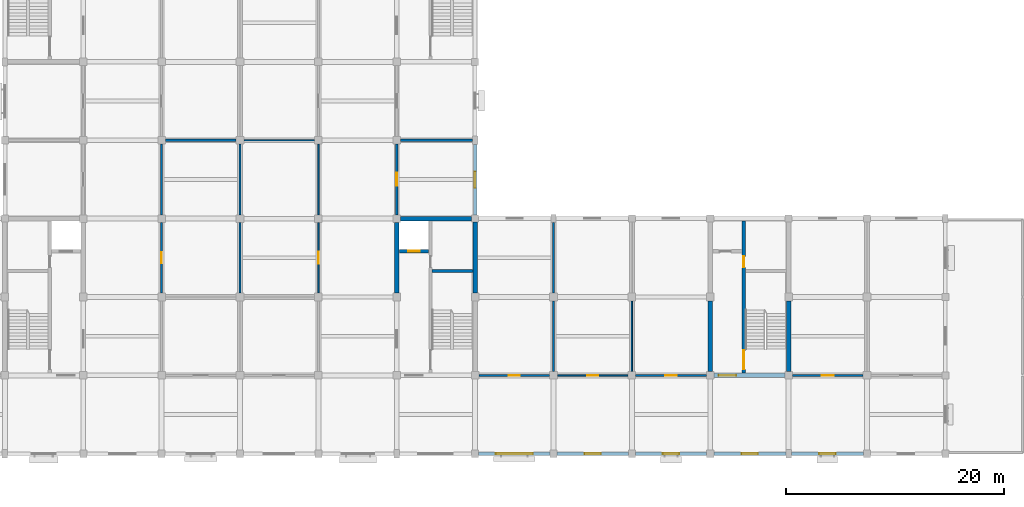
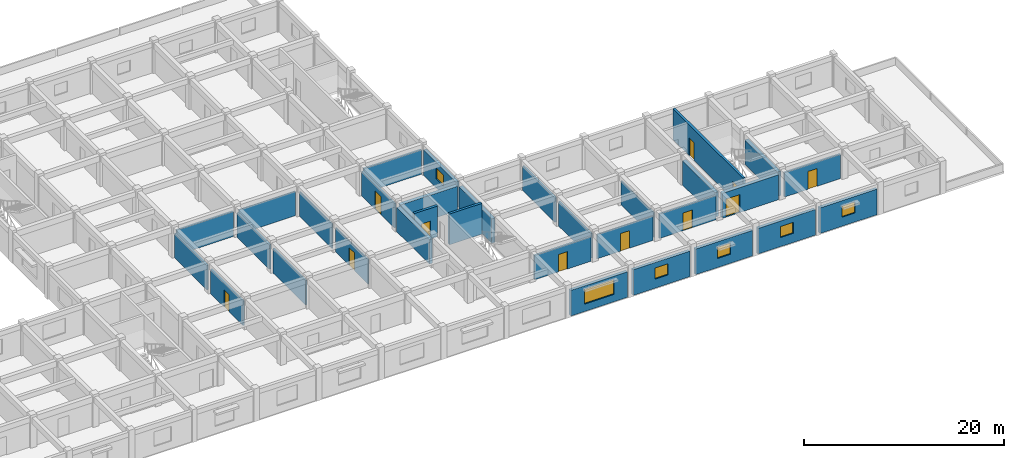
# One storey, part 7 of 16: 32 walls, 11 doors, 6 windows, 17 openings.
"""IFC4 building model written with IfcOpenShell, lengths in metres."""

from ifc_helpers import new_model, si_unit, direction, frame, frame_2d, origin, place, context, subcontext, project, spatial, rectangle, extrude, material, layer, layer_set, type_object, element, fill, save


model = new_model("IFC4")

# Units and contexts
model_context = context("Model", 3, precision=1e-05, world=origin(), true_north=direction((0.0, 1.0)))
body_context = subcontext(model_context, "Body", "Model", "MODEL_VIEW")
ifc_project = project(units=[si_unit("LENGTHUNIT", "METRE"), si_unit("AREAUNIT", "SQUARE_METRE"), si_unit("VOLUMEUNIT", "CUBIC_METRE"), si_unit("PLANEANGLEUNIT", "RADIAN"), si_unit("MASSUNIT", "GRAM", prefix="KILO")], contexts=[model_context])

# Site, building, storey
site_placement = place(None, origin())
site = spatial("IfcSite", under=ifc_project, at=site_placement, CompositionType="ELEMENT")
building_placement = place(site_placement, origin())
building = spatial("IfcBuilding", under=site, at=building_placement, Name="Cendaluz Park School", CompositionType="ELEMENT")
storey_placement = place(building_placement, frame((0.0, 0.0, 22.60009765625)))
storey = spatial("IfcBuildingStorey", under=building, at=storey_placement, Name="L05", CompositionType="ELEMENT", Elevation=22.60009765625)

# Wall, opening, door
ifc_material_1 = material(Name="Gypsum Plasterboard on Cold-Formed Stud", Category="gypsum")
ifc_layer_1 = layer(ifc_material_1, 0.199951171875)
ifc_layer_set_1 = layer_set([ifc_layer_1], Name="Gypsum Plasterboard on Cold-Formed Stud")
wall_type_1 = type_object("IfcWallType", Name="W-AC20", PredefinedType="PARTITIONING", material=ifc_layer_set_1)
wall_1_placement = place(storey_placement, frame((108.35009765625, 14.39990234375, 0.0), z_axis=(0.0, 0.0, 1.0), x_axis=(1.0, 0.0, 0.0)))
wall_1 = element("IfcWall", 1, at=wall_1_placement, inside=storey, type_object=wall_type_1, Name="WL-FF-BQ9", PredefinedType="PARTITIONING", context=body_context, shape_type="SweptSolid", body=[
    extrude(rectangle(XDim=6.5, YDim=0.199951171875, at=frame_2d((3.25, 0.0))), origin(), (0.0, 0.0, 1.0), 2.97998046875),
])
opening_1_placement = place(wall_1_placement, frame((2.739990234375, 0.0, 0.0)))
opening_1 = element("IfcOpeningElement", 2, at=opening_1_placement, cuts=wall_1, Name="Opening DCL-02", PredefinedType="OPENING", context=body_context, shape_type="SweptSolid", body=[
    extrude(rectangle(XDim=1.02001953125, YDim=2.1201171875, at=frame_2d((0.510009765625, 1.06005859375))), frame((0.0, 0.112060546875, 0.0), z_axis=(0.0, -1.0, 0.0), x_axis=(1.0, 0.0, 0.0)), (0.0, 0.0, 1.0), 0.223876953125),
])
ifc_material_2 = material(Name="Solid Core Hardwood", Category="wood")
door_type_1 = type_object("IfcDoorType", Name="DCL-02", OperationType="NOTDEFINED", PredefinedType="DOOR", material=ifc_material_2)
door_1_placement = place(opening_1_placement, origin())
door_1 = element("IfcDoor", 3, at=door_1_placement, inside=storey, type_object=door_type_1, Name="D-L05-032", OperationType="SINGLE_SWING_RIGHT", OverallHeight=2.1201171875, OverallWidth=1.02001953125, PredefinedType="DOOR", context=body_context, shape_type="SweptSolid", body=[
    extrude(rectangle(XDim=1.02001953125, YDim=2.1201171875, at=frame_2d((0.510009765625, 1.06005859375))), frame((0.0, 0.02490234375, 0.0), z_axis=(0.0, -1.0, 0.0), x_axis=(1.0, 0.0, 0.0)), (0.0, 0.0, 1.0), 0.050048828125),
])
fill(opening_1, door_1)

# Walls
wall_2_placement = place(storey_placement, frame((115.199951171875, 14.75, 0.0), z_axis=(0.0, 0.0, 1.0), x_axis=(0.0, 1.0, 0.0)))
element("IfcWall", 4, at=wall_2_placement, inside=storey, type_object=wall_type_1, Name="WL-FF-BR0", PredefinedType="PARTITIONING", context=body_context, shape_type="SweptSolid", body=[
    extrude(rectangle(XDim=6.5, YDim=0.199951171875, at=frame_2d((3.25, 0.0))), origin(), (0.0, 0.0, 1.0), 2.97998046875),
])
wall_3_placement = place(storey_placement, frame((115.199951171875, 21.949951171875, 0.0), z_axis=(0.0, 0.0, 1.0), x_axis=(0.0, 1.0, 0.0)))
element("IfcWall", 5, at=wall_3_placement, inside=storey, type_object=wall_type_1, Name="WL-FF-BR1", PredefinedType="PARTITIONING", context=body_context, shape_type="SweptSolid", body=[
    extrude(rectangle(XDim=6.47509765625, YDim=0.199951171875, at=frame_2d((3.237548828125, 0.0))), origin(), (0.0, 0.0, 1.0), 2.97998046875),
])

# Wall, opening, door
wall_4_placement = place(storey_placement, frame((122.75, 14.39990234375, 0.0), z_axis=(0.0, 0.0, 1.0), x_axis=(1.0, 0.0, 0.0)))
wall_4 = element("IfcWall", 6, at=wall_4_placement, inside=storey, type_object=wall_type_1, Name="WL-FF-BR5", PredefinedType="PARTITIONING", context=body_context, shape_type="SweptSolid", body=[
    extrude(rectangle(XDim=6.5, YDim=0.199951171875, at=frame_2d((3.25, 0.0))), origin(), (0.0, 0.0, 1.0), 2.97998046875),
])
opening_2_placement = place(wall_4_placement, frame((2.719970703125, 0.0, 0.0)))
opening_2 = element("IfcOpeningElement", 7, at=opening_2_placement, cuts=wall_4, Name="Opening DCL-04", PredefinedType="OPENING", context=body_context, shape_type="SweptSolid", body=[
    extrude(rectangle(XDim=1.06005859375, YDim=2.159912109375, at=frame_2d((0.530029296875, 1.080078125))), frame((0.0, 0.112060546875, 0.0), z_axis=(0.0, -1.0, 0.0), x_axis=(1.0, 0.0, 0.0)), (0.0, 0.0, 1.0), 0.223876953125),
])
door_type_2 = type_object("IfcDoorType", Name="DCL-04", OperationType="NOTDEFINED", PredefinedType="DOOR", material=ifc_material_2)
door_2_placement = place(opening_2_placement, origin())
door_2 = element("IfcDoor", 8, at=door_2_placement, inside=storey, type_object=door_type_2, Name="D-L05-034", OperationType="SINGLE_SWING_RIGHT", OverallHeight=2.159912109375, OverallWidth=1.06005859375, PredefinedType="DOOR", context=body_context, shape_type="SweptSolid", body=[
    extrude(rectangle(XDim=1.06005859375, YDim=2.159912109375, at=frame_2d((0.530029296875, 1.080078125))), frame((0.0, 0.02490234375, 0.0), z_axis=(0.0, -1.0, 0.0), x_axis=(1.0, 0.0, 0.0)), (0.0, 0.0, 1.0), 0.050048828125),
])
fill(opening_2, door_2)

wall_5_placement = place(storey_placement, frame((137.14990234375, 14.39990234375, 0.0), z_axis=(0.0, 0.0, 1.0), x_axis=(1.0, 0.0, 0.0)))
wall_5 = element("IfcWall", 9, at=wall_5_placement, inside=storey, type_object=wall_type_1, Name="WL-FF-BR6", PredefinedType="PARTITIONING", context=body_context, shape_type="SweptSolid", body=[
    extrude(rectangle(XDim=6.5, YDim=0.199951171875, at=frame_2d((3.25, 0.0))), origin(), (0.0, 0.0, 1.0), 2.97998046875),
])
opening_3_placement = place(wall_5_placement, frame((2.7099609375, 0.0, 0.0)))
opening_3 = element("IfcOpeningElement", 10, at=opening_3_placement, cuts=wall_5, Name="Opening DCL-05", PredefinedType="OPENING", context=body_context, shape_type="SweptSolid", body=[
    extrude(rectangle(XDim=1.080078125, YDim=2.179931640625, at=frame_2d((0.5400390625, 1.08984375))), frame((0.0, 0.112060546875, 0.0), z_axis=(0.0, -1.0, 0.0), x_axis=(1.0, 0.0, 0.0)), (0.0, 0.0, 1.0), 0.223876953125),
])
door_type_3 = type_object("IfcDoorType", Name="DCL-05", OperationType="NOTDEFINED", PredefinedType="DOOR", material=ifc_material_2)
door_3_placement = place(opening_3_placement, origin())
door_3 = element("IfcDoor", 11, at=door_3_placement, inside=storey, type_object=door_type_3, Name="D-L05-035", OperationType="SINGLE_SWING_LEFT", OverallHeight=2.179931640625, OverallWidth=1.080078125, PredefinedType="DOOR", context=body_context, shape_type="SweptSolid", body=[
    extrude(rectangle(XDim=1.080078125, YDim=2.179931640625, at=frame_2d((0.5400390625, 1.08984375))), frame((0.0, 0.02490234375, 0.0), z_axis=(0.0, -1.0, 0.0), x_axis=(1.0, 0.0, 0.0)), (0.0, 0.0, 1.0), 0.050048828125),
])
fill(opening_3, door_3)

wall_6_placement = place(storey_placement, frame((79.199951171875, 21.949951171875, 0.0), z_axis=(0.0, 0.0, 1.0), x_axis=(0.0, 1.0, 0.0)))
wall_6 = element("IfcWall", 12, at=wall_6_placement, inside=storey, type_object=wall_type_1, Name="WL-FF-BS8", PredefinedType="PARTITIONING", context=body_context, shape_type="SweptSolid", body=[
    extrude(rectangle(XDim=6.5, YDim=0.199951171875, at=frame_2d((3.25, 0.0))), origin(), (0.0, 0.0, 1.0), 2.97998046875),
])
opening_4_placement = place(wall_6_placement, frame((2.75, 0.0, 0.0)))
opening_4 = element("IfcOpeningElement", 13, at=opening_4_placement, cuts=wall_6, Name="Opening DCL-01", PredefinedType="OPENING", context=body_context, shape_type="SweptSolid", body=[
    extrude(rectangle(XDim=1.0, YDim=2.10009765625, at=frame_2d((0.5, 1.050048828125))), frame((0.0, 0.112060546875, 0.0), z_axis=(0.0, -1.0, 0.0), x_axis=(1.0, 0.0, 0.0)), (0.0, 0.0, 1.0), 0.223876953125),
])
door_type_4 = type_object("IfcDoorType", Name="DCL-01", OperationType="NOTDEFINED", PredefinedType="DOOR", material=ifc_material_2)
door_4_placement = place(opening_4_placement, frame((1.0, 0.0, 0.0), z_axis=(0.0, 0.0, 1.0), x_axis=(-1.0, 0.0, 0.0)))
door_4 = element("IfcDoor", 14, at=door_4_placement, inside=storey, type_object=door_type_4, Name="D-L05-041", OperationType="SINGLE_SWING_LEFT", OverallHeight=2.10009765625, OverallWidth=1.0, PredefinedType="DOOR", context=body_context, shape_type="SweptSolid", body=[
    extrude(rectangle(XDim=1.0, YDim=2.10009765625, at=frame_2d((0.5, 1.050048828125))), frame((0.0, 0.02490234375, 0.0), z_axis=(0.0, -1.0, 0.0), x_axis=(1.0, 0.0, 0.0)), (0.0, 0.0, 1.0), 0.050048828125),
])
fill(opening_4, door_4)

# Walls
wall_7_placement = place(storey_placement, frame((86.39990234375, 21.949951171875, 0.0), z_axis=(0.0, 0.0, 1.0), x_axis=(0.0, 1.0, 0.0)))
element("IfcWall", 15, at=wall_7_placement, inside=storey, type_object=wall_type_1, Name="WL-FF-BS9", PredefinedType="PARTITIONING", context=body_context, shape_type="SweptSolid", body=[
    extrude(rectangle(XDim=6.5, YDim=0.199951171875, at=frame_2d((3.25, 0.0))), origin(), (0.0, 0.0, 1.0), 2.97998046875),
])
wall_8_placement = place(storey_placement, frame((79.550048828125, 36.0, 0.0), z_axis=(0.0, 0.0, 1.0), x_axis=(1.0, 0.0, 0.0)))
element("IfcWall", 16, at=wall_8_placement, inside=storey, type_object=wall_type_1, Name="WL-FF-BT0", PredefinedType="PARTITIONING", context=body_context, shape_type="SweptSolid", body=[
    extrude(rectangle(XDim=6.5, YDim=0.199951171875, at=frame_2d((3.25, 0.0))), origin(), (0.0, 0.0, 1.0), 3.0498046875),
])
for number, where, z_axis, x_axis, name in (
    (17, (79.199951171875, 29.14990234375, 0.0), (0.0, 0.0, 1.0), (0.0, 1.0, 0.0), "WL-FF-BT1"),
    (18, (86.39990234375, 29.14990234375, 0.0), (0.0, 0.0, 1.0), (0.0, 1.0, 0.0), "WL-FF-BT2"),
):
    element("IfcWall", number, at=place(storey_placement, frame(where, z_axis=z_axis, x_axis=x_axis)), inside=storey, type_object=wall_type_1, Name=name, PredefinedType="PARTITIONING", context=body_context, shape_type="SweptSolid", body=[
        extrude(rectangle(XDim=6.5, YDim=0.199951171875, at=frame_2d((3.25, 0.0))), origin(), (0.0, 0.0, 1.0), 2.97998046875),
    ])
wall_9_placement = place(storey_placement, frame((101.14990234375, 36.0, 0.0), z_axis=(0.0, 0.0, 1.0), x_axis=(1.0, 0.0, 0.0)))
element("IfcWall", 19, at=wall_9_placement, inside=storey, type_object=wall_type_1, Name="WL-FF-BV3", PredefinedType="PARTITIONING", context=body_context, shape_type="SweptSolid", body=[
    extrude(rectangle(XDim=6.60009765625, YDim=0.199951171875, at=frame_2d((3.300048828125, 0.0))), origin(), (0.0, 0.0, 1.0), 2.97998046875),
])

# Wall, opening, door
wall_10_placement = place(storey_placement, frame((100.800048828125, 29.14990234375, 0.0), z_axis=(0.0, 0.0, 1.0), x_axis=(0.0, 1.0, 0.0)))
wall_10 = element("IfcWall", 20, at=wall_10_placement, inside=storey, type_object=wall_type_1, Name="WL-FF-BV4", PredefinedType="PARTITIONING", context=body_context, shape_type="SweptSolid", body=[
    extrude(rectangle(XDim=6.5, YDim=0.199951171875, at=frame_2d((3.25, 0.0))), origin(), (0.0, 0.0, 1.0), 2.97998046875),
])
opening_5_placement = place(wall_10_placement, frame((2.64990234375, 0.0, 0.0)))
opening_5 = element("IfcOpeningElement", 21, at=opening_5_placement, cuts=wall_10, Name="Opening DCL-08", PredefinedType="OPENING", context=body_context, shape_type="SweptSolid", body=[
    extrude(rectangle(XDim=1.199951171875, YDim=2.239990234375, at=frame_2d((0.60009765625, 1.1201171875))), frame((0.0, 0.112060546875, 0.0), z_axis=(0.0, -1.0, 0.0), x_axis=(1.0, 0.0, 0.0)), (0.0, 0.0, 1.0), 0.223876953125),
])
door_type_5 = type_object("IfcDoorType", Name="DCL-08", OperationType="NOTDEFINED", PredefinedType="DOOR", material=ifc_material_2)
door_5_placement = place(opening_5_placement, frame((1.199951171875, 0.0, 0.0), z_axis=(0.0, 0.0, 1.0), x_axis=(-1.0, 0.0, 0.0)))
door_5 = element("IfcDoor", 22, at=door_5_placement, inside=storey, type_object=door_type_5, Name="D-L05-048", OperationType="SINGLE_SWING_RIGHT", OverallHeight=2.239990234375, OverallWidth=1.199951171875, PredefinedType="DOOR", context=body_context, shape_type="SweptSolid", body=[
    extrude(rectangle(XDim=1.199951171875, YDim=2.239990234375, at=frame_2d((0.60009765625, 1.1201171875))), frame((0.0, 0.02490234375, 0.0), z_axis=(0.0, -1.0, 0.0), x_axis=(1.0, 0.0, 0.0)), (0.0, 0.0, 1.0), 0.050048828125),
])
fill(opening_5, door_5)

# Wall, opening, window
ifc_material_3 = material(Name="Concrete C40/50 precast", Category="concrete")
ifc_layer_2 = layer(ifc_material_3, 0.340087890625)
ifc_layer_set_2 = layer_set([ifc_layer_2], Name="Concrete C40/50 precast")
wall_type_2 = type_object("IfcWallType", Name="W-EX34", PredefinedType="SOLIDWALL", material=ifc_layer_set_2)
wall_11_placement = place(storey_placement, frame((108.0, 29.125, 0.0), z_axis=(0.0, 0.0, 1.0), x_axis=(0.0, 1.0, 0.0)))
wall_11 = element("IfcWall", 23, at=wall_11_placement, inside=storey, type_object=wall_type_2, Name="WL-FF-AC8", PredefinedType="SOLIDWALL", context=body_context, shape_type="SweptSolid", body=[
    extrude(rectangle(XDim=6.5, YDim=0.340087890625, at=frame_2d((3.25, 0.0))), origin(), (0.0, 0.0, 1.0), 3.119873046875),
])
opening_6_placement = place(wall_11_placement, frame((2.5, 0.0, 1.10009765625)))
opening_6 = element("IfcOpeningElement", 24, at=opening_6_placement, cuts=wall_11, Name="Opening WN-20", PredefinedType="OPENING", context=body_context, shape_type="SweptSolid", body=[
    extrude(rectangle(XDim=1.5, YDim=1.35009765625, at=frame_2d((0.75, 0.675048828125))), frame((0.0, 0.18212890625, 0.0), z_axis=(0.0, -1.0, 0.0), x_axis=(1.0, 0.0, 0.0)), (0.0, 0.0, 1.0), 0.364013671875),
])
ifc_material_4 = material(Name="Tempered Low-E Double Glazing", Category="glass")
window_type_1 = type_object("IfcWindowType", Name="WN-20", PartitioningType="SINGLE_PANEL", PredefinedType="WINDOW", material=ifc_material_4)
window_1_placement = place(opening_6_placement, origin())
window_1 = element("IfcWindow", 25, at=window_1_placement, inside=storey, type_object=window_type_1, Name="WN-L05-029", OverallHeight=1.35009765625, OverallWidth=1.5, PartitioningType="SINGLE_PANEL", PredefinedType="WINDOW", context=body_context, shape_type="SweptSolid", body=[
    extrude(rectangle(XDim=1.5, YDim=1.35009765625, at=frame_2d((0.75, 0.675048828125))), frame((0.0, 0.030029296875, 0.0), z_axis=(0.0, -1.0, 0.0), x_axis=(1.0, 0.0, 0.0)), (0.0, 0.0, 1.0), 0.06005859375),
])
fill(opening_6, window_1)

wall_12_placement = place(storey_placement, frame((108.324951171875, 7.199951171875, 0.0), z_axis=(0.0, 0.0, 1.0), x_axis=(1.0, 0.0, 0.0)))
wall_12 = element("IfcWall", 26, at=wall_12_placement, inside=storey, type_object=wall_type_2, Name="WL-FF-AD2", PredefinedType="SOLIDWALL", context=body_context, shape_type="SweptSolid", body=[
    extrude(rectangle(XDim=6.550048828125, YDim=0.340087890625, at=frame_2d((3.27490234375, 0.0))), origin(), (0.0, 0.0, 1.0), 3.119873046875),
])
opening_7_placement = place(wall_12_placement, frame((1.574951171875, 0.0, 0.89990234375)))
opening_7 = element("IfcOpeningElement", 27, at=opening_7_placement, cuts=wall_12, Name="Opening WN-09", PredefinedType="OPENING", context=body_context, shape_type="SweptSolid", body=[
    extrude(rectangle(XDim=3.39990234375, YDim=1.800048828125, at=frame_2d((1.699951171875, 0.89990234375))), frame((0.0, 0.18212890625, 0.0), z_axis=(0.0, -1.0, 0.0), x_axis=(1.0, 0.0, 0.0)), (0.0, 0.0, 1.0), 0.364013671875),
])
window_type_2 = type_object("IfcWindowType", Name="WN-09", PartitioningType="SINGLE_PANEL", PredefinedType="WINDOW", material=ifc_material_4)
window_2_placement = place(opening_7_placement, origin())
window_2 = element("IfcWindow", 28, at=window_2_placement, inside=storey, type_object=window_type_2, Name="WN-L05-033", OverallHeight=1.800048828125, OverallWidth=3.39990234375, PartitioningType="SINGLE_PANEL", PredefinedType="WINDOW", context=body_context, shape_type="SweptSolid", body=[
    extrude(rectangle(XDim=3.39990234375, YDim=1.800048828125, at=frame_2d((1.699951171875, 0.89990234375))), frame((0.0, 0.030029296875, 0.0), z_axis=(0.0, -1.0, 0.0), x_axis=(1.0, 0.0, 0.0)), (0.0, 0.0, 1.0), 0.06005859375),
])
fill(opening_7, window_2)

wall_13_placement = place(storey_placement, frame((115.52490234375, 7.199951171875, 0.0), z_axis=(0.0, 0.0, 1.0), x_axis=(1.0, 0.0, 0.0)))
wall_13 = element("IfcWall", 29, at=wall_13_placement, inside=storey, type_object=wall_type_2, Name="WL-FF-AD4", PredefinedType="SOLIDWALL", context=body_context, shape_type="SweptSolid", body=[
    extrude(rectangle(XDim=6.550048828125, YDim=0.340087890625, at=frame_2d((3.27490234375, 0.0))), origin(), (0.0, 0.0, 1.0), 3.119873046875),
])
opening_8_placement = place(wall_13_placement, frame((2.52490234375, 0.0, 1.10009765625)))
opening_8 = element("IfcOpeningElement", 30, at=opening_8_placement, cuts=wall_13, Name="Opening WN-20", PredefinedType="OPENING", context=body_context, shape_type="SweptSolid", body=[
    extrude(rectangle(XDim=1.5, YDim=1.35009765625, at=frame_2d((0.75, 0.675048828125))), frame((0.0, 0.18212890625, 0.0), z_axis=(0.0, -1.0, 0.0), x_axis=(1.0, 0.0, 0.0)), (0.0, 0.0, 1.0), 0.364013671875),
])
window_3_placement = place(opening_8_placement, origin())
window_3 = element("IfcWindow", 31, at=window_3_placement, inside=storey, type_object=window_type_1, Name="WN-L05-035", OverallHeight=1.35009765625, OverallWidth=1.5, PartitioningType="SINGLE_PANEL", PredefinedType="WINDOW", context=body_context, shape_type="SweptSolid", body=[
    extrude(rectangle(XDim=1.5, YDim=1.35009765625, at=frame_2d((0.75, 0.675048828125))), frame((0.0, 0.030029296875, 0.0), z_axis=(0.0, -1.0, 0.0), x_axis=(1.0, 0.0, 0.0)), (0.0, 0.0, 1.0), 0.06005859375),
])
fill(opening_8, window_3)

wall_14_placement = place(storey_placement, frame((122.72509765625, 7.199951171875, 0.0), z_axis=(0.0, 0.0, 1.0), x_axis=(1.0, 0.0, 0.0)))
wall_14 = element("IfcWall", 32, at=wall_14_placement, inside=storey, type_object=wall_type_2, Name="WL-FF-AD6", PredefinedType="SOLIDWALL", context=body_context, shape_type="SweptSolid", body=[
    extrude(rectangle(XDim=6.5498046875, YDim=0.340087890625, at=frame_2d((3.27490234375, 0.0))), origin(), (0.0, 0.0, 1.0), 3.119873046875),
])
opening_9_placement = place(wall_14_placement, frame((2.52490234375, 0.0, 1.10009765625)))
opening_9 = element("IfcOpeningElement", 33, at=opening_9_placement, cuts=wall_14, Name="Opening WN-20", PredefinedType="OPENING", context=body_context, shape_type="SweptSolid", body=[
    extrude(rectangle(XDim=1.5, YDim=1.35009765625, at=frame_2d((0.75, 0.675048828125))), frame((0.0, 0.18212890625, 0.0), z_axis=(0.0, -1.0, 0.0), x_axis=(1.0, 0.0, 0.0)), (0.0, 0.0, 1.0), 0.364013671875),
])
window_4_placement = place(opening_9_placement, origin())
window_4 = element("IfcWindow", 34, at=window_4_placement, inside=storey, type_object=window_type_1, Name="WN-L05-037", OverallHeight=1.35009765625, OverallWidth=1.5, PartitioningType="SINGLE_PANEL", PredefinedType="WINDOW", context=body_context, shape_type="SweptSolid", body=[
    extrude(rectangle(XDim=1.5, YDim=1.35009765625, at=frame_2d((0.75, 0.675048828125))), frame((0.0, 0.030029296875, 0.0), z_axis=(0.0, -1.0, 0.0), x_axis=(1.0, 0.0, 0.0)), (0.0, 0.0, 1.0), 0.06005859375),
])
fill(opening_9, window_4)

wall_15_placement = place(storey_placement, frame((129.925048828125, 7.199951171875, 0.0), z_axis=(0.0, 0.0, 1.0), x_axis=(1.0, 0.0, 0.0)))
wall_15 = element("IfcWall", 35, at=wall_15_placement, inside=storey, type_object=wall_type_2, Name="WL-FF-AD8", PredefinedType="SOLIDWALL", context=body_context, shape_type="SweptSolid", body=[
    extrude(rectangle(XDim=6.625, YDim=0.340087890625, at=frame_2d((3.3125, 0.0))), origin(), (0.0, 0.0, 1.0), 3.119873046875),
])
opening_10_placement = place(wall_15_placement, frame((2.5625, 0.0, 1.10009765625)))
opening_10 = element("IfcOpeningElement", 36, at=opening_10_placement, cuts=wall_15, Name="Opening WN-20", PredefinedType="OPENING", context=body_context, shape_type="SweptSolid", body=[
    extrude(rectangle(XDim=1.5, YDim=1.35009765625, at=frame_2d((0.75, 0.675048828125))), frame((0.0, 0.18212890625, 0.0), z_axis=(0.0, -1.0, 0.0), x_axis=(1.0, 0.0, 0.0)), (0.0, 0.0, 1.0), 0.364013671875),
])
window_5_placement = place(opening_10_placement, origin())
window_5 = element("IfcWindow", 37, at=window_5_placement, inside=storey, type_object=window_type_1, Name="WN-L05-039", OverallHeight=1.35009765625, OverallWidth=1.5, PartitioningType="SINGLE_PANEL", PredefinedType="WINDOW", context=body_context, shape_type="SweptSolid", body=[
    extrude(rectangle(XDim=1.5, YDim=1.35009765625, at=frame_2d((0.75, 0.675048828125))), frame((0.0, 0.030029296875, 0.0), z_axis=(0.0, -1.0, 0.0), x_axis=(1.0, 0.0, 0.0)), (0.0, 0.0, 1.0), 0.06005859375),
])
fill(opening_10, window_5)

wall_16_placement = place(storey_placement, frame((137.050048828125, 7.199951171875, 0.0), z_axis=(0.0, 0.0, 1.0), x_axis=(1.0, 0.0, 0.0)))
wall_16 = element("IfcWall", 38, at=wall_16_placement, inside=storey, type_object=wall_type_2, Name="WL-FF-AD9", PredefinedType="SOLIDWALL", context=body_context, shape_type="SweptSolid", body=[
    extrude(rectangle(XDim=6.625, YDim=0.340087890625, at=frame_2d((3.3125, 0.0))), origin(), (0.0, 0.0, 1.0), 3.119873046875),
])
opening_11_placement = place(wall_16_placement, frame((2.5625, 0.0, 1.10009765625)))
opening_11 = element("IfcOpeningElement", 39, at=opening_11_placement, cuts=wall_16, Name="Opening WN-20", PredefinedType="OPENING", context=body_context, shape_type="SweptSolid", body=[
    extrude(rectangle(XDim=1.5, YDim=1.35009765625, at=frame_2d((0.75, 0.675048828125))), frame((0.0, 0.18212890625, 0.0), z_axis=(0.0, -1.0, 0.0), x_axis=(1.0, 0.0, 0.0)), (0.0, 0.0, 1.0), 0.364013671875),
])
window_6_placement = place(opening_11_placement, origin())
window_6 = element("IfcWindow", 40, at=window_6_placement, inside=storey, type_object=window_type_1, Name="WN-L05-040", OverallHeight=1.35009765625, OverallWidth=1.5, PartitioningType="SINGLE_PANEL", PredefinedType="WINDOW", context=body_context, shape_type="SweptSolid", body=[
    extrude(rectangle(XDim=1.5, YDim=1.35009765625, at=frame_2d((0.75, 0.675048828125))), frame((0.0, 0.030029296875, 0.0), z_axis=(0.0, -1.0, 0.0), x_axis=(1.0, 0.0, 0.0)), (0.0, 0.0, 1.0), 0.06005859375),
])
fill(opening_11, window_6)

# Wall
ifc_material_5 = material(Name="Concrete C40/50", Category="concrete")
ifc_layer_3 = layer(ifc_material_5, 0.280029296875)
ifc_layer_set_3 = layer_set([ifc_layer_3], Name="Concrete C40/50")
wall_type_3 = type_object("IfcWallType", Name="W-FW28", PredefinedType="SHEAR", material=ifc_layer_set_3)
wall_17_placement = place(storey_placement, frame((104.02001953125, 23.97998046875, 0.0), z_axis=(0.0, 0.0, 1.0), x_axis=(1.0, 0.0, 0.0)))
element("IfcWall", 41, at=wall_17_placement, inside=storey, type_object=wall_type_3, Name="WL-FF-BM0", PredefinedType="SHEAR", context=body_context, shape_type="SweptSolid", body=[
    extrude(rectangle(XDim=3.780029296875, YDim=0.280029296875, at=frame_2d((1.89013671875, 0.0))), origin(), (0.0, 0.0, 1.0), 3.75),
])

# Wall, opening, door
wall_18_placement = place(storey_placement, frame((101.0400390625, 25.800048828125, 0.0), z_axis=(0.0, 0.0, 1.0), x_axis=(1.0, 0.0, 0.0)))
wall_18 = element("IfcWall", 42, at=wall_18_placement, inside=storey, type_object=wall_type_3, Name="WL-FF-BM1", PredefinedType="SHEAR", context=body_context, shape_type="SweptSolid", body=[
    extrude(rectangle(XDim=2.679931640625, YDim=0.280029296875, at=frame_2d((1.33984375, 0.0))), origin(), (0.0, 0.0, 1.0), 3.75),
])
opening_12_placement = place(wall_18_placement, frame((0.81494140625, 0.0, 0.0)))
opening_12 = element("IfcOpeningElement", 43, at=opening_12_placement, cuts=wall_18, Name="Opening LD-02", PredefinedType="OPENING", context=body_context, shape_type="SweptSolid", body=[
    extrude(rectangle(XDim=1.050048828125, YDim=2.199951171875, at=frame_2d((0.52490234375, 1.10009765625))), frame((0.0, 0.152099609375, 0.0), z_axis=(0.0, -1.0, 0.0), x_axis=(1.0, 0.0, 0.0)), (0.0, 0.0, 1.0), 0.303955078125),
])
ifc_material_6 = material(Name="Stainless Steel 316L", Category="steel")
door_type_6 = type_object("IfcDoorType", Name="LD-02", OperationType="DOUBLE_DOOR_SLIDING", PredefinedType="DOOR", material=ifc_material_6)
door_6_placement = place(opening_12_placement, frame((1.050048828125, 0.0, 0.0), z_axis=(0.0, 0.0, 1.0), x_axis=(-1.0, 0.0, 0.0)))
door_6 = element("IfcDoor", 44, at=door_6_placement, inside=storey, type_object=door_type_6, Name="D-L05-010", OperationType="DOUBLE_DOOR_SLIDING", OverallHeight=2.199951171875, OverallWidth=1.050048828125, PredefinedType="DOOR", context=body_context, shape_type="SweptSolid", body=[
    extrude(rectangle(XDim=1.050048828125, YDim=2.199951171875, at=frame_2d((0.52490234375, 1.10009765625))), frame((0.0, 0.02490234375, 0.0), z_axis=(0.0, -1.0, 0.0), x_axis=(1.0, 0.0, 0.0)), (0.0, 0.0, 1.0), 0.050048828125),
])
fill(opening_12, door_6)

# Wall, openings, doors
wall_19_placement = place(storey_placement, frame((132.679931640625, 14.60009765625, 0.0), z_axis=(0.0, 0.0, 1.0), x_axis=(0.0, 1.0, 0.0)))
wall_19 = element("IfcWall", 45, at=wall_19_placement, inside=storey, type_object=wall_type_3, Name="WL-FF-BP5", PredefinedType="SHEAR", context=body_context, shape_type="SweptSolid", body=[
    extrude(rectangle(XDim=14.0, YDim=0.280029296875, at=frame_2d((7.0, 0.0))), origin(), (0.0, 0.0, 1.0), 3.75),
])
opening_13_placement = place(wall_19_placement, frame((0.35009765625, 0.0, 0.0)))
opening_13 = element("IfcOpeningElement", 46, at=opening_13_placement, cuts=wall_19, Name="Opening DST-03", PredefinedType="OPENING", context=body_context, shape_type="SweptSolid", body=[
    extrude(rectangle(XDim=1.75, YDim=2.14990234375, at=frame_2d((0.875, 1.074951171875))), frame((0.0, 0.152099609375, 0.0), z_axis=(0.0, -1.0, 0.0), x_axis=(1.0, 0.0, 0.0)), (0.0, 0.0, 1.0), 0.303955078125),
])
opening_14_placement = place(wall_19_placement, frame((9.719970703125, 0.0, 0.0)))
opening_14 = element("IfcOpeningElement", 47, at=opening_14_placement, cuts=wall_19, Name="Opening DFC-01", PredefinedType="OPENING", context=body_context, shape_type="SweptSolid", body=[
    extrude(rectangle(XDim=1.0, YDim=2.14990234375, at=frame_2d((0.5, 1.074951171875))), frame((0.0, 0.152099609375, 0.0), z_axis=(0.0, -1.0, 0.0), x_axis=(1.0, 0.0, 0.0)), (0.0, 0.0, 1.0), 0.303955078125),
])
door_type_7 = type_object("IfcDoorType", Name="DFC-01", OperationType="NOTDEFINED", PredefinedType="DOOR", material=ifc_material_2)
door_7_placement = place(opening_14_placement, frame((1.0, 0.0, 0.0), z_axis=(0.0, 0.0, 1.0), x_axis=(-1.0, 0.0, 0.0)))
door_7 = element("IfcDoor", 48, at=door_7_placement, inside=storey, type_object=door_type_7, Name="D-L05-025", OperationType="SINGLE_SWING_LEFT", OverallHeight=2.14990234375, OverallWidth=1.0, PredefinedType="DOOR", context=body_context, shape_type="SweptSolid", body=[
    extrude(rectangle(XDim=1.0, YDim=2.14990234375, at=frame_2d((0.5, 1.074951171875))), frame((0.0, 0.02490234375, 0.0), z_axis=(0.0, -1.0, 0.0), x_axis=(1.0, 0.0, 0.0)), (0.0, 0.0, 1.0), 0.050048828125),
])
fill(opening_14, door_7)
door_type_8 = type_object("IfcDoorType", Name="DST-03", OperationType="DOUBLE_DOOR_SINGLE_SWING", PredefinedType="DOOR", material=ifc_material_2)
door_8_placement = place(opening_13_placement, frame((1.75, 0.0, 0.0), z_axis=(0.0, 0.0, 1.0), x_axis=(-1.0, 0.0, 0.0)))
door_8 = element("IfcDoor", 49, at=door_8_placement, inside=storey, type_object=door_type_8, Name="D-L05-024", OperationType="DOUBLE_DOOR_SINGLE_SWING", OverallHeight=2.14990234375, OverallWidth=1.75, PredefinedType="DOOR", context=body_context, shape_type="SweptSolid", body=[
    extrude(rectangle(XDim=1.75, YDim=2.14990234375, at=frame_2d((0.875, 1.074951171875))), frame((0.0, 0.02490234375, 0.0), z_axis=(0.0, -1.0, 0.0), x_axis=(1.0, 0.0, 0.0)), (0.0, 0.0, 1.0), 0.050048828125),
])
fill(opening_13, door_8)

# Wall, opening, door
ifc_layer_4 = layer(ifc_material_1, 0.1201171875)
ifc_layer_set_4 = layer_set([ifc_layer_4], Name="Gypsum Plasterboard on Cold-Formed Stud")
wall_type_4 = type_object("IfcWallType", Name="W-MV12", PredefinedType="MOVABLE", material=ifc_layer_set_4)
wall_20_placement = place(storey_placement, frame((115.550048828125, 14.39990234375, 0.0), z_axis=(0.0, 0.0, 1.0), x_axis=(1.0, 0.0, 0.0)))
wall_20 = element("IfcWall", 50, at=wall_20_placement, inside=storey, type_object=wall_type_4, Name="WL-FF-BR2", PredefinedType="MOVABLE", context=body_context, shape_type="SweptSolid", body=[
    extrude(rectangle(XDim=6.5, YDim=0.1201171875, at=frame_2d((3.25, 0.0))), origin(), (0.0, 0.0, 1.0), 2.97998046875),
])
opening_15_placement = place(wall_20_placement, frame((2.72998046875, 0.0, 0.0)))
opening_15 = element("IfcOpeningElement", 51, at=opening_15_placement, cuts=wall_20, Name="Opening DCL-03", PredefinedType="OPENING", context=body_context, shape_type="SweptSolid", body=[
    extrude(rectangle(XDim=1.0400390625, YDim=2.139892578125, at=frame_2d((0.52001953125, 1.06982421875))), frame((0.0, 0.072021484375, 0.0), z_axis=(0.0, -1.0, 0.0), x_axis=(1.0, 0.0, 0.0)), (0.0, 0.0, 1.0), 0.14404296875),
])
door_type_9 = type_object("IfcDoorType", Name="DCL-03", OperationType="NOTDEFINED", PredefinedType="DOOR", material=ifc_material_2)
door_9_placement = place(opening_15_placement, origin())
door_9 = element("IfcDoor", 52, at=door_9_placement, inside=storey, type_object=door_type_9, Name="D-L05-033", OperationType="SINGLE_SWING_LEFT", OverallHeight=2.139892578125, OverallWidth=1.0400390625, PredefinedType="DOOR", context=body_context, shape_type="SweptSolid", body=[
    extrude(rectangle(XDim=1.0400390625, YDim=2.139892578125, at=frame_2d((0.52001953125, 1.06982421875))), frame((0.0, 0.02490234375, 0.0), z_axis=(0.0, -1.0, 0.0), x_axis=(1.0, 0.0, 0.0)), (0.0, 0.0, 1.0), 0.050048828125),
])
fill(opening_15, door_9)

# Wall
wall_21_placement = place(storey_placement, frame((122.39990234375, 14.75, 0.0), z_axis=(0.0, 0.0, 1.0), x_axis=(0.0, 1.0, 0.0)))
element("IfcWall", 53, at=wall_21_placement, inside=storey, type_object=wall_type_4, Name="WL-FF-BR3", PredefinedType="MOVABLE", context=body_context, shape_type="SweptSolid", body=[
    extrude(rectangle(XDim=6.5, YDim=0.1201171875, at=frame_2d((3.25, 0.0))), origin(), (0.0, 0.0, 1.0), 2.97998046875),
])

# Wall, opening, door
wall_22_placement = place(storey_placement, frame((93.60009765625, 21.949951171875, 0.0), z_axis=(0.0, 0.0, 1.0), x_axis=(0.0, 1.0, 0.0)))
wall_22 = element("IfcWall", 54, at=wall_22_placement, inside=storey, type_object=wall_type_4, Name="WL-FF-BU5", PredefinedType="MOVABLE", context=body_context, shape_type="SweptSolid", body=[
    extrude(rectangle(XDim=6.5, YDim=0.1201171875, at=frame_2d((3.25, 0.0))), origin(), (0.0, 0.0, 1.0), 2.97998046875),
])
opening_16_placement = place(wall_22_placement, frame((2.7099609375, 0.0, 0.0)))
opening_16 = element("IfcOpeningElement", 55, at=opening_16_placement, cuts=wall_22, Name="Opening DCL-05", PredefinedType="OPENING", context=body_context, shape_type="SweptSolid", body=[
    extrude(rectangle(XDim=1.080078125, YDim=2.179931640625, at=frame_2d((0.5400390625, 1.08984375))), frame((0.0, 0.072021484375, 0.0), z_axis=(0.0, -1.0, 0.0), x_axis=(1.0, 0.0, 0.0)), (0.0, 0.0, 1.0), 0.14404296875),
])
door_10_placement = place(opening_16_placement, origin())
door_10 = element("IfcDoor", 56, at=door_10_placement, inside=storey, type_object=door_type_3, Name="D-L05-045", OperationType="SINGLE_SWING_LEFT", OverallHeight=2.179931640625, OverallWidth=1.080078125, PredefinedType="DOOR", context=body_context, shape_type="SweptSolid", body=[
    extrude(rectangle(XDim=1.080078125, YDim=2.179931640625, at=frame_2d((0.5400390625, 1.08984375))), frame((0.0, 0.02490234375, 0.0), z_axis=(0.0, -1.0, 0.0), x_axis=(1.0, 0.0, 0.0)), (0.0, 0.0, 1.0), 0.050048828125),
])
fill(opening_16, door_10)

# Walls
for number, where, z_axis, x_axis, name in (
    (57, (86.75, 36.0, 0.0), (0.0, 0.0, 1.0), (1.0, 0.0, 0.0), "WL-FF-BU6"),
    (58, (93.60009765625, 29.14990234375, 0.0), (0.0, 0.0, 1.0), (0.0, 1.0, 0.0), "WL-FF-BU7"),
):
    element("IfcWall", number, at=place(storey_placement, frame(where, z_axis=z_axis, x_axis=x_axis)), inside=storey, type_object=wall_type_4, Name=name, PredefinedType="MOVABLE", context=body_context, shape_type="SweptSolid", body=[
        extrude(rectangle(XDim=6.5, YDim=0.1201171875, at=frame_2d((3.25, 0.0))), origin(), (0.0, 0.0, 1.0), 2.97998046875),
    ])
ifc_layer_5 = layer(ifc_material_5, 0.39990234375)
ifc_layer_set_5 = layer_set([ifc_layer_5], Name="Concrete C40/50")
wall_type_5 = type_object("IfcWallType", Name="W-SH40", PredefinedType="SHEAR", material=ifc_layer_set_5)
wall_23_placement = place(storey_placement, frame((100.800048828125, 21.949951171875, 0.0), z_axis=(0.0, 0.0, 1.0), x_axis=(0.0, 1.0, 0.0)))
element("IfcWall", 59, at=wall_23_placement, inside=storey, type_object=wall_type_5, Name="WL-FF-BL4", PredefinedType="SHEAR", context=body_context, shape_type="SweptSolid", body=[
    extrude(rectangle(XDim=6.5, YDim=0.39990234375, at=frame_2d((3.25, 0.0))), origin(), (0.0, 0.0, 1.0), 2.97998046875),
])
for number, where, z_axis, x_axis, name in (
    (60, (108.0, 21.949951171875, 0.0), (0.0, 0.0, 1.0), (0.0, 1.0, 0.0), "WL-FF-BL6"),
    (61, (101.14990234375, 28.800048828125, 0.0), (0.0, 0.0, 1.0), (1.0, 0.0, 0.0), "WL-FF-BL8"),
):
    element("IfcWall", number, at=place(storey_placement, frame(where, z_axis=z_axis, x_axis=x_axis)), inside=storey, type_object=wall_type_5, Name=name, PredefinedType="SHEAR", context=body_context, shape_type="SweptSolid", body=[
        extrude(rectangle(XDim=6.525146484375, YDim=0.39990234375, at=frame_2d((3.2626953125, 0.0))), origin(), (0.0, 0.0, 1.0), 2.97998046875),
    ])
for number, where, z_axis, x_axis, name in (
    (62, (129.60009765625, 14.75, 0.0), (0.0, 0.0, 1.0), (0.0, 1.0, 0.0), "WL-FF-BO9"),
    (63, (136.800048828125, 14.75, 0.0), (0.0, 0.0, 1.0), (0.0, 1.0, 0.0), "WL-FF-BP1"),
):
    element("IfcWall", number, at=place(storey_placement, frame(where, z_axis=z_axis, x_axis=x_axis)), inside=storey, type_object=wall_type_5, Name=name, PredefinedType="SHEAR", context=body_context, shape_type="SweptSolid", body=[
        extrude(rectangle(XDim=6.5, YDim=0.39990234375, at=frame_2d((3.25, 0.0))), origin(), (0.0, 0.0, 1.0), 2.97998046875),
    ])

# Wall, opening, door
wall_24_placement = place(storey_placement, frame((129.949951171875, 14.39990234375, 0.0), z_axis=(0.0, 0.0, 1.0), x_axis=(1.0, 0.0, 0.0)))
wall_24 = element("IfcWall", 64, at=wall_24_placement, inside=storey, type_object=wall_type_5, Name="WL-FF-BP3", PredefinedType="SHEAR", context=body_context, shape_type="SweptSolid", body=[
    extrude(rectangle(XDim=6.5, YDim=0.39990234375, at=frame_2d((3.25, 0.0))), origin(), (0.0, 0.0, 1.0), 3.0498046875),
])
opening_17_placement = place(wall_24_placement, frame((0.429931640625, 0.0, 0.0)))
opening_17 = element("IfcOpeningElement", 65, at=opening_17_placement, cuts=wall_24, Name="Opening DLB-01", PredefinedType="OPENING", context=body_context, shape_type="SweptSolid", body=[
    extrude(rectangle(XDim=1.60009765625, YDim=2.199951171875, at=frame_2d((0.800048828125, 1.10009765625))), frame((0.0, 0.2119140625, 0.0), z_axis=(0.0, -1.0, 0.0), x_axis=(1.0, 0.0, 0.0)), (0.0, 0.0, 1.0), 0.423828125),
])
door_type_10 = type_object("IfcDoorType", Name="DLB-01", OperationType="DOUBLE_DOOR_SINGLE_SWING", PredefinedType="DOOR", material=ifc_material_2)
door_11_placement = place(opening_17_placement, origin())
door_11 = element("IfcDoor", 66, at=door_11_placement, inside=storey, type_object=door_type_10, Name="D-L05-023", OperationType="DOUBLE_DOOR_SINGLE_SWING", OverallHeight=2.199951171875, OverallWidth=1.60009765625, PredefinedType="DOOR", context=body_context, shape_type="SweptSolid", body=[
    extrude(rectangle(XDim=1.60009765625, YDim=2.199951171875, at=frame_2d((0.800048828125, 1.10009765625))), frame((0.0, 0.02490234375, 0.0), z_axis=(0.0, -1.0, 0.0), x_axis=(1.0, 0.0, 0.0)), (0.0, 0.0, 1.0), 0.050048828125),
])
fill(opening_17, door_11)

save(model, "model.ifc")
